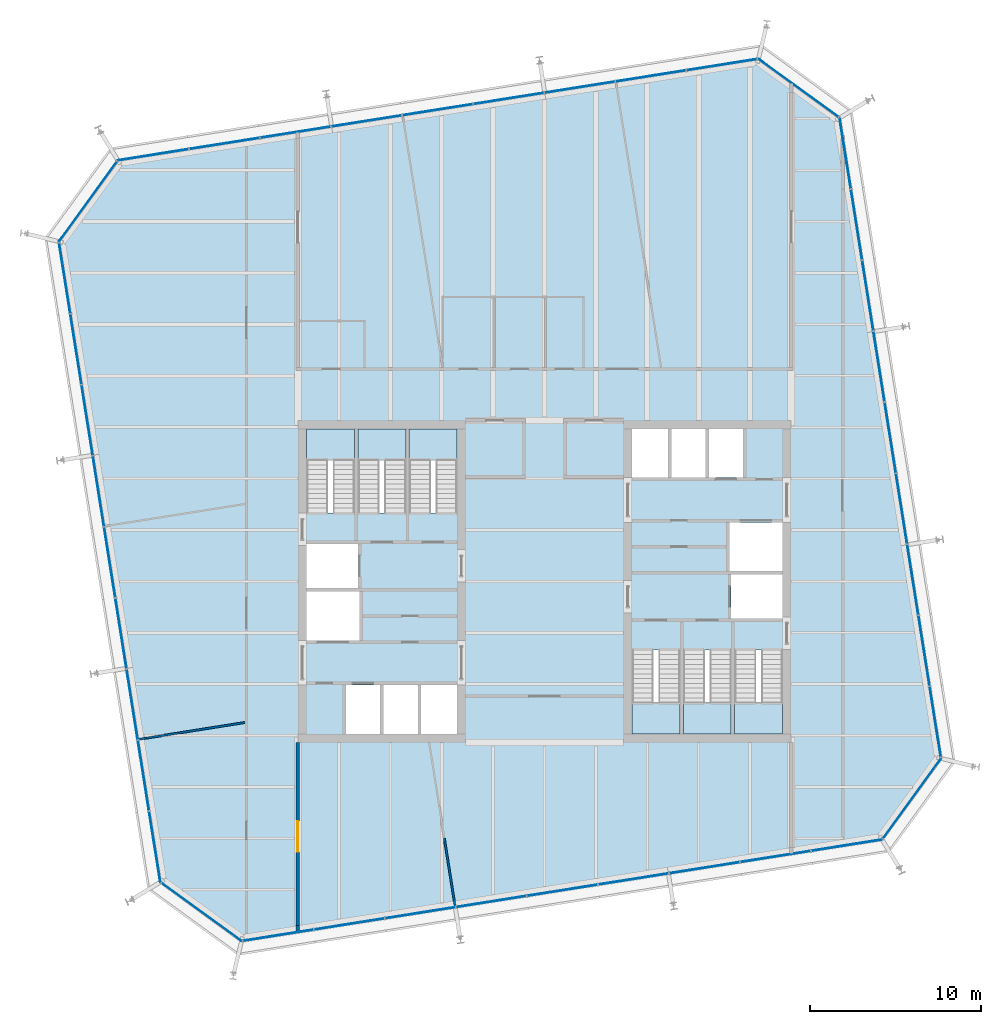
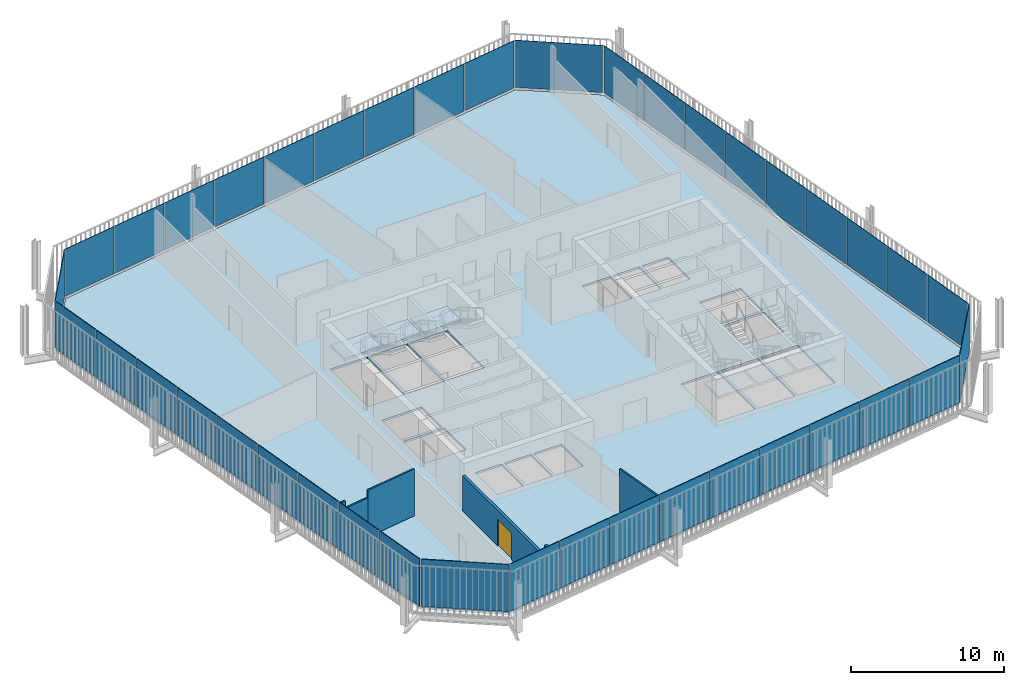
# One storey, part 15 of 20: 40 plates, 7 slabs, 6 walls, 1 door, 1 opening, 14 elements without a shape of their own.
"""IFC4 building model written with IfcOpenShell, lengths in metres."""

from ifc_helpers import new_model, si_unit, direction, frame, frame_2d, origin, place, context, subcontext, project, spatial, polyline, rectangle, outline, extrude, material, layer, layer_set, type_object, element, fill, aggregate, save


model = new_model("IFC4")

# Units and contexts
model_context = context("Model", 3, precision=1e-05, world=origin(), true_north=direction((0.0, 1.0)))
body_context = subcontext(model_context, "Body", "Model", "MODEL_VIEW")
ifc_project = project(units=[si_unit("LENGTHUNIT", "METRE"), si_unit("AREAUNIT", "SQUARE_METRE"), si_unit("VOLUMEUNIT", "CUBIC_METRE"), si_unit("PLANEANGLEUNIT", "RADIAN"), si_unit("MASSUNIT", "GRAM", prefix="KILO")], contexts=[model_context])

# Site, building, storey
site_placement = place(None, origin())
site = spatial("IfcSite", under=ifc_project, at=site_placement, CompositionType="ELEMENT")
building_placement = place(site_placement, origin())
building = spatial("IfcBuilding", under=site, at=building_placement, Name="Millrace Tower", CompositionType="ELEMENT")
storey_placement = place(building_placement, frame((0.0, 0.0, 208.60009765625)))
storey = spatial("IfcBuildingStorey", under=building, at=storey_placement, Name="L47", CompositionType="ELEMENT", Elevation=208.60009765625)

# Curtain wall, plate
ifc_material_1 = material(Name="Aluminium and glass", Category="aluminium")
ifc_layer_1 = layer(ifc_material_1, 0.14990234375)
ifc_layer_set_1 = layer_set([ifc_layer_1], Name="Aluminium and glass")
curtain_wall_type = type_object("IfcCurtainWallType", Name="CW-1 office vision curtain wall", PredefinedType="NOTDEFINED", material=ifc_layer_set_1)
placement_1 = place(storey_placement, origin())
curtain_wall_1 = element("IfcCurtainWall", 1, at=placement_1, inside=storey, type_object=curtain_wall_type, Name="Curtain wall D-F01 L47", PredefinedType="NOTDEFINED")
ifc_material_2 = material(Name="Glass", Category="glass")
ifc_layer_2 = layer(ifc_material_2, 0.0439453125)
ifc_layer_set_2 = layer_set([ifc_layer_2], Name="Glass")
plate_type = type_object("IfcPlateType", Name="CW-1 office vision curtain wall triple-glazed vision panel", PredefinedType="CURTAIN_PANEL", material=ifc_layer_set_2)
placement_2 = place(storey_placement, frame((0.0, 0.0, 0.139892578125)))
plate_1 = element("IfcPlate", 2, at=placement_2, type_object=plate_type, Name="CW1 panel D-F01.1", PredefinedType="CURTAIN_PANEL", context=body_context, shape_type="SweptSolid", body=[
    extrude(outline(polyline([(-22.36474609375, -17.632080078125), (-17.69384765625, -21.025634765625), (-17.6826171875, -20.979248046875), (-22.3388671875, -17.596435546875), (-22.36474609375, -17.632080078125)])), origin(), (0.0, 0.0, 1.0), 3.760009765625),
])
aggregate(curtain_wall_1, [plate_1])

# Curtain wall, plates
curtain_wall_2 = element("IfcCurtainWall", 3, at=placement_1, inside=storey, type_object=curtain_wall_type, Name="Curtain wall D-F02 L47", PredefinedType="NOTDEFINED")
plate_2 = element("IfcPlate", 4, at=placement_2, type_object=plate_type, Name="CW1 panel D-F02.1", PredefinedType="CURTAIN_PANEL", context=body_context, shape_type="SweptSolid", body=[
    extrude(outline(polyline([(-17.58984375, -21.009033203125), (-13.505859375, -20.3623046875), (-13.5126953125, -20.31884765625), (-17.596923828125, -20.965576171875), (-17.58984375, -21.009033203125)])), origin(), (0.0, 0.0, 1.0), 3.760009765625),
])
plate_3 = element("IfcPlate", 5, at=placement_2, type_object=plate_type, Name="CW1 panel D-F02.2", PredefinedType="CURTAIN_PANEL", context=body_context, shape_type="SweptSolid", body=[
    extrude(outline(polyline([(-13.441650390625, -20.35205078125), (-9.357666015625, -19.705078125), (-9.364501953125, -19.66162109375), (-13.448486328125, -20.30859375), (-13.441650390625, -20.35205078125)])), origin(), (0.0, 0.0, 1.0), 3.760009765625),
])
plate_4 = element("IfcPlate", 6, at=placement_2, type_object=plate_type, Name="CW1 panel D-F02.3", PredefinedType="CURTAIN_PANEL", context=body_context, shape_type="SweptSolid", body=[
    extrude(outline(polyline([(-9.29345703125, -19.695068359375), (-5.209228515625, -19.048095703125), (-5.216064453125, -19.004638671875), (-9.30029296875, -19.651611328125), (-9.29345703125, -19.695068359375)])), origin(), (0.0, 0.0, 1.0), 3.760009765625),
])
plate_5 = element("IfcPlate", 7, at=placement_2, type_object=plate_type, Name="CW1 panel D-F02.4", PredefinedType="CURTAIN_PANEL", context=body_context, shape_type="SweptSolid", body=[
    extrude(outline(polyline([(-5.14501953125, -19.0380859375), (-1.06103515625, -18.39111328125), (-1.06787109375, -18.34765625), (-5.15185546875, -18.99462890625), (-5.14501953125, -19.0380859375)])), origin(), (0.0, 0.0, 1.0), 3.760009765625),
])
plate_6 = element("IfcPlate", 8, at=placement_2, type_object=plate_type, Name="CW1 panel D-F02.5", PredefinedType="CURTAIN_PANEL", context=body_context, shape_type="SweptSolid", body=[
    extrude(outline(polyline([(-0.996826171875, -18.380859375), (3.08740234375, -17.734130859375), (3.080322265625, -17.690673828125), (-1.003662109375, -18.33740234375), (-0.996826171875, -18.380859375)])), origin(), (0.0, 0.0, 1.0), 3.760009765625),
])
plate_7 = element("IfcPlate", 9, at=placement_2, type_object=plate_type, Name="CW1 panel D-F02.6", PredefinedType="CURTAIN_PANEL", context=body_context, shape_type="SweptSolid", body=[
    extrude(outline(polyline([(3.151611328125, -17.723876953125), (7.235595703125, -17.0771484375), (7.228759765625, -17.03369140625), (3.14453125, -17.680419921875), (3.151611328125, -17.723876953125)])), origin(), (0.0, 0.0, 1.0), 3.760009765625),
])
plate_8 = element("IfcPlate", 10, at=placement_2, type_object=plate_type, Name="CW1 panel D-F02.7", PredefinedType="CURTAIN_PANEL", context=body_context, shape_type="SweptSolid", body=[
    extrude(outline(polyline([(7.2998046875, -17.06689453125), (11.3837890625, -16.420166015625), (11.376953125, -16.376708984375), (7.29296875, -17.0234375), (7.2998046875, -17.06689453125)])), origin(), (0.0, 0.0, 1.0), 3.760009765625),
])
plate_9 = element("IfcPlate", 11, at=placement_2, type_object=plate_type, Name="CW1 panel D-F02.8", PredefinedType="CURTAIN_PANEL", context=body_context, shape_type="SweptSolid", body=[
    extrude(outline(polyline([(11.447998046875, -16.409912109375), (15.5322265625, -15.762939453125), (15.525390625, -15.719482421875), (11.441162109375, -16.366455078125), (11.447998046875, -16.409912109375)])), origin(), (0.0, 0.0, 1.0), 3.760009765625),
])
plate_10 = element("IfcPlate", 12, at=placement_2, type_object=plate_type, Name="CW1 panel D-F02.9", PredefinedType="CURTAIN_PANEL", context=body_context, shape_type="SweptSolid", body=[
    extrude(outline(polyline([(15.596435546875, -15.7529296875), (19.72021484375, -15.099853515625), (19.6953125, -15.05908203125), (15.589599609375, -15.70947265625), (15.596435546875, -15.7529296875)])), origin(), (0.0, 0.0, 1.0), 3.760009765625),
])
aggregate(curtain_wall_2, [plate_2, plate_3, plate_4, plate_5, plate_6, plate_7, plate_8, plate_9, plate_10])

# Curtain wall, plate
curtain_wall_3 = element("IfcCurtainWall", 13, at=placement_1, inside=storey, type_object=curtain_wall_type, Name="Curtain wall D-F03 L47", PredefinedType="NOTDEFINED")
plate_11 = element("IfcPlate", 14, at=placement_2, type_object=plate_type, Name="CW1 panel D-F03.1", PredefinedType="CURTAIN_PANEL", context=body_context, shape_type="SweptSolid", body=[
    extrude(outline(polyline([(19.781982421875, -15.0146484375), (23.175537109375, -10.34375), (23.129150390625, -10.332763671875), (19.746337890625, -14.98876953125), (19.781982421875, -15.0146484375)])), origin(), (0.0, 0.0, 1.0), 3.760009765625),
])
aggregate(curtain_wall_3, [plate_11])

# Curtain wall, plates
curtain_wall_4 = element("IfcCurtainWall", 15, at=placement_1, inside=storey, type_object=curtain_wall_type, Name="Curtain wall D-F04 L47", PredefinedType="NOTDEFINED")
plate_12 = element("IfcPlate", 16, at=placement_2, type_object=plate_type, Name="CW1 panel D-F04.1", PredefinedType="CURTAIN_PANEL", context=body_context, shape_type="SweptSolid", body=[
    extrude(outline(polyline([(23.1591796875, -10.239990234375), (22.51220703125, -6.15576171875), (22.46875, -6.162841796875), (23.11572265625, -10.246826171875), (23.1591796875, -10.239990234375)])), origin(), (0.0, 0.0, 1.0), 3.760009765625),
])
plate_13 = element("IfcPlate", 17, at=placement_2, type_object=plate_type, Name="CW1 panel D-F04.2", PredefinedType="CURTAIN_PANEL", context=body_context, shape_type="SweptSolid", body=[
    extrude(outline(polyline([(22.501953125, -6.091552734375), (21.855224609375, -2.007568359375), (21.811767578125, -2.014404296875), (22.45849609375, -6.0986328125), (22.501953125, -6.091552734375)])), origin(), (0.0, 0.0, 1.0), 3.760009765625),
])
plate_14 = element("IfcPlate", 18, at=placement_2, type_object=plate_type, Name="CW1 panel D-F04.3", PredefinedType="CURTAIN_PANEL", context=body_context, shape_type="SweptSolid", body=[
    extrude(outline(polyline([(21.844970703125, -1.943359375), (21.1982421875, 2.140625), (21.15478515625, 2.1337890625), (21.801513671875, -1.9501953125), (21.844970703125, -1.943359375)])), origin(), (0.0, 0.0, 1.0), 3.760009765625),
])
plate_15 = element("IfcPlate", 19, at=placement_2, type_object=plate_type, Name="CW1 panel D-F04.4", PredefinedType="CURTAIN_PANEL", context=body_context, shape_type="SweptSolid", body=[
    extrude(outline(polyline([(21.18798828125, 2.204833984375), (20.541259765625, 6.2890625), (20.497802734375, 6.2822265625), (21.14453125, 2.197998046875), (21.18798828125, 2.204833984375)])), origin(), (0.0, 0.0, 1.0), 3.760009765625),
])
plate_16 = element("IfcPlate", 20, at=placement_2, type_object=plate_type, Name="CW1 panel D-F04.5", PredefinedType="CURTAIN_PANEL", context=body_context, shape_type="SweptSolid", body=[
    extrude(outline(polyline([(20.531005859375, 6.353271484375), (19.884033203125, 10.437255859375), (19.840576171875, 10.430419921875), (20.487548828125, 6.346435546875), (20.531005859375, 6.353271484375)])), origin(), (0.0, 0.0, 1.0), 3.760009765625),
])
plate_17 = element("IfcPlate", 21, at=placement_2, type_object=plate_type, Name="CW1 panel D-F04.6", PredefinedType="CURTAIN_PANEL", context=body_context, shape_type="SweptSolid", body=[
    extrude(outline(polyline([(19.8740234375, 10.50146484375), (19.22705078125, 14.585693359375), (19.18359375, 14.57861328125), (19.83056640625, 10.49462890625), (19.8740234375, 10.50146484375)])), origin(), (0.0, 0.0, 1.0), 3.760009765625),
])
plate_18 = element("IfcPlate", 22, at=placement_2, type_object=plate_type, Name="CW1 panel D-F04.7", PredefinedType="CURTAIN_PANEL", context=body_context, shape_type="SweptSolid", body=[
    extrude(outline(polyline([(19.217041015625, 14.64990234375), (18.570068359375, 18.73388671875), (18.526611328125, 18.72705078125), (19.173583984375, 14.642822265625), (19.217041015625, 14.64990234375)])), origin(), (0.0, 0.0, 1.0), 3.760009765625),
])
plate_19 = element("IfcPlate", 23, at=placement_2, type_object=plate_type, Name="CW1 panel D-F04.8", PredefinedType="CURTAIN_PANEL", context=body_context, shape_type="SweptSolid", body=[
    extrude(outline(polyline([(18.559814453125, 18.798095703125), (17.9130859375, 22.882080078125), (17.86962890625, 22.875244140625), (18.516357421875, 18.791259765625), (18.559814453125, 18.798095703125)])), origin(), (0.0, 0.0, 1.0), 3.760009765625),
])
plate_20 = element("IfcPlate", 24, at=placement_2, type_object=plate_type, Name="CW1 panel D-F04.9", PredefinedType="CURTAIN_PANEL", context=body_context, shape_type="SweptSolid", body=[
    extrude(outline(polyline([(17.90283203125, 22.9462890625), (17.249755859375, 27.070068359375), (17.209228515625, 27.045166015625), (17.859375, 22.939453125), (17.90283203125, 22.9462890625)])), origin(), (0.0, 0.0, 1.0), 3.760009765625),
])
aggregate(curtain_wall_4, [plate_12, plate_13, plate_14, plate_15, plate_16, plate_17, plate_18, plate_19, plate_20])

# Curtain wall, plate
curtain_wall_5 = element("IfcCurtainWall", 25, at=placement_1, inside=storey, type_object=curtain_wall_type, Name="Curtain wall D-F05 L47", PredefinedType="NOTDEFINED")
plate_21 = element("IfcPlate", 26, at=placement_2, type_object=plate_type, Name="CW1 panel D-F05.1", PredefinedType="CURTAIN_PANEL", context=body_context, shape_type="SweptSolid", body=[
    extrude(outline(polyline([(17.16455078125, 27.132080078125), (12.493896484375, 30.525634765625), (12.482666015625, 30.479248046875), (17.138671875, 27.096435546875), (17.16455078125, 27.132080078125)])), origin(), (0.0, 0.0, 1.0), 3.760009765625),
])
aggregate(curtain_wall_5, [plate_21])

# Curtain wall, plates
curtain_wall_6 = element("IfcCurtainWall", 27, at=placement_1, inside=storey, type_object=curtain_wall_type, Name="Curtain wall D-F06 L47", PredefinedType="NOTDEFINED")
plate_22 = element("IfcPlate", 28, at=placement_2, type_object=plate_type, Name="CW1 panel D-F06.1", PredefinedType="CURTAIN_PANEL", context=body_context, shape_type="SweptSolid", body=[
    extrude(outline(polyline([(12.389892578125, 30.509033203125), (8.305908203125, 29.8623046875), (8.312744140625, 29.81884765625), (12.396728515625, 30.465576171875), (12.389892578125, 30.509033203125)])), origin(), (0.0, 0.0, 1.0), 3.760009765625),
])
plate_23 = element("IfcPlate", 29, at=placement_2, type_object=plate_type, Name="CW1 panel D-F06.2", PredefinedType="CURTAIN_PANEL", context=body_context, shape_type="SweptSolid", body=[
    extrude(outline(polyline([(8.24169921875, 29.85205078125), (4.157470703125, 29.205078125), (4.16455078125, 29.16162109375), (8.24853515625, 29.80859375), (8.24169921875, 29.85205078125)])), origin(), (0.0, 0.0, 1.0), 3.760009765625),
])
plate_24 = element("IfcPlate", 30, at=placement_2, type_object=plate_type, Name="CW1 panel D-F06.3", PredefinedType="CURTAIN_PANEL", context=body_context, shape_type="SweptSolid", body=[
    extrude(outline(polyline([(4.09326171875, 29.195068359375), (0.00927734375, 28.548095703125), (0.01611328125, 28.504638671875), (4.100341796875, 29.151611328125), (4.09326171875, 29.195068359375)])), origin(), (0.0, 0.0, 1.0), 3.760009765625),
])
plate_25 = element("IfcPlate", 31, at=placement_2, type_object=plate_type, Name="CW1 panel D-F06.4", PredefinedType="CURTAIN_PANEL", context=body_context, shape_type="SweptSolid", body=[
    extrude(outline(polyline([(-0.054931640625, 28.5380859375), (-4.138916015625, 27.89111328125), (-4.132080078125, 27.84765625), (-0.048095703125, 28.49462890625), (-0.054931640625, 28.5380859375)])), origin(), (0.0, 0.0, 1.0), 3.760009765625),
])
plate_26 = element("IfcPlate", 32, at=placement_2, type_object=plate_type, Name="CW1 panel D-F06.5", PredefinedType="CURTAIN_PANEL", context=body_context, shape_type="SweptSolid", body=[
    extrude(outline(polyline([(-4.203125, 27.880859375), (-8.287353515625, 27.234130859375), (-8.280517578125, 27.190673828125), (-4.1962890625, 27.83740234375), (-4.203125, 27.880859375)])), origin(), (0.0, 0.0, 1.0), 3.760009765625),
])
plate_27 = element("IfcPlate", 33, at=placement_2, type_object=plate_type, Name="CW1 panel D-F06.6", PredefinedType="CURTAIN_PANEL", context=body_context, shape_type="SweptSolid", body=[
    extrude(outline(polyline([(-8.3515625, 27.223876953125), (-12.435546875, 26.5771484375), (-12.4287109375, 26.53369140625), (-8.3447265625, 27.180419921875), (-8.3515625, 27.223876953125)])), origin(), (0.0, 0.0, 1.0), 3.760009765625),
])
plate_28 = element("IfcPlate", 34, at=placement_2, type_object=plate_type, Name="CW1 panel D-F06.7", PredefinedType="CURTAIN_PANEL", context=body_context, shape_type="SweptSolid", body=[
    extrude(outline(polyline([(-12.499755859375, 26.56689453125), (-16.583984375, 25.920166015625), (-16.576904296875, 25.876708984375), (-12.492919921875, 26.5234375), (-12.499755859375, 26.56689453125)])), origin(), (0.0, 0.0, 1.0), 3.760009765625),
])
plate_29 = element("IfcPlate", 35, at=placement_2, type_object=plate_type, Name="CW1 panel D-F06.8", PredefinedType="CURTAIN_PANEL", context=body_context, shape_type="SweptSolid", body=[
    extrude(outline(polyline([(-16.648193359375, 25.909912109375), (-20.732177734375, 25.262939453125), (-20.725341796875, 25.219482421875), (-16.64111328125, 25.866455078125), (-16.648193359375, 25.909912109375)])), origin(), (0.0, 0.0, 1.0), 3.760009765625),
])
plate_30 = element("IfcPlate", 36, at=placement_2, type_object=plate_type, Name="CW1 panel D-F06.9", PredefinedType="CURTAIN_PANEL", context=body_context, shape_type="SweptSolid", body=[
    extrude(outline(polyline([(-20.79638671875, 25.2529296875), (-24.920166015625, 24.599853515625), (-24.895263671875, 24.55908203125), (-20.78955078125, 25.20947265625), (-20.79638671875, 25.2529296875)])), origin(), (0.0, 0.0, 1.0), 3.760009765625),
])
aggregate(curtain_wall_6, [plate_22, plate_23, plate_24, plate_25, plate_26, plate_27, plate_28, plate_29, plate_30])

# Curtain wall, plate
curtain_wall_7 = element("IfcCurtainWall", 37, at=placement_1, inside=storey, type_object=curtain_wall_type, Name="Curtain wall D-F07 L47", PredefinedType="NOTDEFINED")
plate_31 = element("IfcPlate", 38, at=placement_2, type_object=plate_type, Name="CW1 panel D-F07.1", PredefinedType="CURTAIN_PANEL", context=body_context, shape_type="SweptSolid", body=[
    extrude(outline(polyline([(-24.98193359375, 24.5146484375), (-28.37548828125, 19.84375), (-28.329345703125, 19.832763671875), (-24.9462890625, 24.48876953125), (-24.98193359375, 24.5146484375)])), origin(), (0.0, 0.0, 1.0), 3.760009765625),
])
aggregate(curtain_wall_7, [plate_31])

# Curtain wall, plates
curtain_wall_8 = element("IfcCurtainWall", 39, at=placement_1, inside=storey, type_object=curtain_wall_type, Name="Curtain wall D-F08 L47", PredefinedType="NOTDEFINED")
plate_32 = element("IfcPlate", 40, at=placement_2, type_object=plate_type, Name="CW1 panel D-F08.1", PredefinedType="CURTAIN_PANEL", context=body_context, shape_type="SweptSolid", body=[
    extrude(outline(polyline([(-28.359130859375, 19.739990234375), (-27.712158203125, 15.65576171875), (-27.668701171875, 15.662841796875), (-28.315673828125, 19.746826171875), (-28.359130859375, 19.739990234375)])), origin(), (0.0, 0.0, 1.0), 3.760009765625),
])
plate_33 = element("IfcPlate", 41, at=placement_2, type_object=plate_type, Name="CW1 panel D-F08.2", PredefinedType="CURTAIN_PANEL", context=body_context, shape_type="SweptSolid", body=[
    extrude(outline(polyline([(-27.7021484375, 15.591552734375), (-27.05517578125, 11.507568359375), (-27.01171875, 11.514404296875), (-27.65869140625, 15.5986328125), (-27.7021484375, 15.591552734375)])), origin(), (0.0, 0.0, 1.0), 3.760009765625),
])
plate_34 = element("IfcPlate", 42, at=placement_2, type_object=plate_type, Name="CW1 panel D-F08.3", PredefinedType="CURTAIN_PANEL", context=body_context, shape_type="SweptSolid", body=[
    extrude(outline(polyline([(-27.044921875, 11.443359375), (-26.398193359375, 7.359375), (-26.354736328125, 7.3662109375), (-27.00146484375, 11.4501953125), (-27.044921875, 11.443359375)])), origin(), (0.0, 0.0, 1.0), 3.760009765625),
])
plate_35 = element("IfcPlate", 43, at=placement_2, type_object=plate_type, Name="CW1 panel D-F08.4", PredefinedType="CURTAIN_PANEL", context=body_context, shape_type="SweptSolid", body=[
    extrude(outline(polyline([(-26.387939453125, 7.295166015625), (-25.7412109375, 3.2109375), (-25.69775390625, 3.2177734375), (-26.344482421875, 7.302001953125), (-26.387939453125, 7.295166015625)])), origin(), (0.0, 0.0, 1.0), 3.760009765625),
])
plate_36 = element("IfcPlate", 44, at=placement_2, type_object=plate_type, Name="CW1 panel D-F08.5", PredefinedType="CURTAIN_PANEL", context=body_context, shape_type="SweptSolid", body=[
    extrude(outline(polyline([(-25.73095703125, 3.146728515625), (-25.084228515625, -0.937255859375), (-25.040771484375, -0.930419921875), (-25.6875, 3.153564453125), (-25.73095703125, 3.146728515625)])), origin(), (0.0, 0.0, 1.0), 3.760009765625),
])
plate_37 = element("IfcPlate", 45, at=placement_2, type_object=plate_type, Name="CW1 panel D-F08.6", PredefinedType="CURTAIN_PANEL", context=body_context, shape_type="SweptSolid", body=[
    extrude(outline(polyline([(-25.073974609375, -1.00146484375), (-24.427001953125, -5.085693359375), (-24.383544921875, -5.07861328125), (-25.030517578125, -0.99462890625), (-25.073974609375, -1.00146484375)])), origin(), (0.0, 0.0, 1.0), 3.760009765625),
])
plate_38 = element("IfcPlate", 46, at=placement_2, type_object=plate_type, Name="CW1 panel D-F08.7", PredefinedType="CURTAIN_PANEL", context=body_context, shape_type="SweptSolid", body=[
    extrude(outline(polyline([(-24.4169921875, -5.14990234375), (-23.77001953125, -9.23388671875), (-23.7265625, -9.22705078125), (-24.37353515625, -5.142822265625), (-24.4169921875, -5.14990234375)])), origin(), (0.0, 0.0, 1.0), 3.760009765625),
])
plate_39 = element("IfcPlate", 47, at=placement_2, type_object=plate_type, Name="CW1 panel D-F08.8", PredefinedType="CURTAIN_PANEL", context=body_context, shape_type="SweptSolid", body=[
    extrude(outline(polyline([(-23.760009765625, -9.298095703125), (-23.113037109375, -13.382080078125), (-23.069580078125, -13.375244140625), (-23.716552734375, -9.291259765625), (-23.760009765625, -9.298095703125)])), origin(), (0.0, 0.0, 1.0), 3.760009765625),
])
plate_40 = element("IfcPlate", 48, at=placement_2, type_object=plate_type, Name="CW1 panel D-F08.9", PredefinedType="CURTAIN_PANEL", context=body_context, shape_type="SweptSolid", body=[
    extrude(outline(polyline([(-23.102783203125, -13.4462890625), (-22.44970703125, -17.570068359375), (-22.4091796875, -17.545166015625), (-23.059326171875, -13.439453125), (-23.102783203125, -13.4462890625)])), origin(), (0.0, 0.0, 1.0), 3.760009765625),
])
aggregate(curtain_wall_8, [plate_32, plate_33, plate_34, plate_35, plate_36, plate_37, plate_38, plate_39, plate_40])

# Slab
ifc_material_3 = material(Name="Concrete C35 on steel deck", Category="concrete")
ifc_layer_3 = layer(ifc_material_3, 0.159912109375)
ifc_layer_set_3 = layer_set([ifc_layer_3], Name="Concrete C35 on steel deck")
slab_type_1 = type_object("IfcSlabType", Name="Composite floor slab 160 mm", PredefinedType="FLOOR", material=ifc_layer_set_3)
slab_1_placement = place(storey_placement, frame((0.0, 0.0, -0.16015625)))
element("IfcSlab", 49, at=slab_1_placement, inside=storey, type_object=slab_type_1, Name="SL-D-L47-S1", PredefinedType="FLOOR", context=body_context, shape_type="SweptSolid", body=[
    extrude(outline(polyline([(-22.360107421875, -17.515380859375), (-17.66943359375, -20.92333984375), (19.665283203125, -15.01025390625), (23.073486328125, -10.3193359375), (17.16015625, 27.015380859375), (12.46923828125, 30.42333984375), (-24.865234375, 24.51025390625), (-28.2734375, 19.8193359375), (-22.360107421875, -17.515380859375)]), holes=[polyline([(-11.60009765625, -8.89990234375), (-9.60009765625, -8.89990234375), (-9.60009765625, -6.050048828125), (-11.60009765625, -6.050048828125), (-11.60009765625, -8.89990234375)]), polyline([(-9.39990234375, -8.89990234375), (-7.39990234375, -8.89990234375), (-7.39990234375, -6.050048828125), (-9.39990234375, -6.050048828125), (-9.39990234375, -8.89990234375)]), polyline([(-7.199951171875, -8.89990234375), (-5.10009765625, -8.89990234375), (-5.10009765625, -6.050048828125), (-7.199951171875, -6.050048828125), (-7.199951171875, -8.89990234375)]), polyline([(-13.89990234375, -3.449951171875), (-10.800048828125, -3.449951171875), (-10.800048828125, -0.60009765625), (-13.89990234375, -0.60009765625), (-13.89990234375, -3.449951171875)]), polyline([(-13.89990234375, -0.39990234375), (-10.89990234375, -0.39990234375), (-10.89990234375, 2.179931640625), (-13.89990234375, 2.179931640625), (-13.89990234375, -0.39990234375)]), polyline([(-13.89990234375, 4.0), (-11.10009765625, 4.0), (-11.10009765625, 8.89990234375), (-13.89990234375, 8.89990234375), (-13.89990234375, 4.0)]), polyline([(-10.89990234375, 4.0), (-8.10009765625, 4.0), (-8.10009765625, 8.89990234375), (-10.89990234375, 8.89990234375), (-10.89990234375, 4.0)]), polyline([(-7.89990234375, 4.0), (-5.10009765625, 4.0), (-5.10009765625, 8.89990234375), (-7.89990234375, 8.89990234375), (-7.89990234375, 4.0)]), polyline([(9.60009765625, 6.050048828125), (11.60009765625, 6.050048828125), (11.60009765625, 8.89990234375), (9.60009765625, 8.89990234375), (9.60009765625, 6.050048828125)]), polyline([(7.39990234375, 6.050048828125), (9.39990234375, 6.050048828125), (9.39990234375, 8.89990234375), (7.39990234375, 8.89990234375), (7.39990234375, 6.050048828125)]), polyline([(5.10009765625, 6.050048828125), (7.199951171875, 6.050048828125), (7.199951171875, 8.89990234375), (5.10009765625, 8.89990234375), (5.10009765625, 6.050048828125)]), polyline([(10.800048828125, 0.60009765625), (13.89990234375, 0.60009765625), (13.89990234375, 3.449951171875), (10.800048828125, 3.449951171875), (10.800048828125, 0.60009765625)]), polyline([(10.89990234375, -2.179931640625), (13.89990234375, -2.179931640625), (13.89990234375, 0.39990234375), (10.89990234375, 0.39990234375), (10.89990234375, -2.179931640625)]), polyline([(11.10009765625, -8.89990234375), (13.89990234375, -8.89990234375), (13.89990234375, -4.0), (11.10009765625, -4.0), (11.10009765625, -8.89990234375)]), polyline([(8.10009765625, -8.89990234375), (10.89990234375, -8.89990234375), (10.89990234375, -4.0), (8.10009765625, -4.0), (8.10009765625, -8.89990234375)]), polyline([(5.10009765625, -8.89990234375), (7.89990234375, -8.89990234375), (7.89990234375, -4.0), (5.10009765625, -4.0), (5.10009765625, -8.89990234375)])]), origin(), (0.0, 0.0, 1.0), 0.16015625),
])

# Stair, slab
ifc_material_4 = material(Name="Concrete C35", Category="concrete")
stair_type = type_object("IfcStairType", Name="Exit stair", PredefinedType="HALF_TURN_STAIR", material=ifc_material_4)
stair_1 = element("IfcStair", 50, at=placement_1, inside=storey, type_object=stair_type, Name="Stair 1 W L47", PredefinedType="HALF_TURN_STAIR")
ifc_material_5 = material(Name="Concrete C40", Category="concrete")
ifc_layer_4 = layer(ifc_material_5, 0.199951171875)
ifc_layer_set_4 = layer_set([ifc_layer_4], Name="Concrete C40")
slab_type_2 = type_object("IfcSlabType", Name="Stair landing", PredefinedType="LANDING", material=ifc_layer_set_4)
placement_3 = place(storey_placement, frame((0.0, 0.0, 1.75)))
slab_2 = element("IfcSlab", 51, at=placement_3, type_object=slab_type_2, Name="ST12 landing 1", PredefinedType="LANDING", context=body_context, shape_type="SweptSolid", body=[
    extrude(outline(polyline([(-13.89990234375, 7.080078125), (-11.10009765625, 7.080078125), (-11.10009765625, 8.89990234375), (-13.89990234375, 8.89990234375), (-13.89990234375, 7.080078125)])), origin(), (0.0, 0.0, 1.0), 0.199951171875),
])
aggregate(stair_1, [slab_2])

stair_2 = element("IfcStair", 52, at=placement_1, inside=storey, type_object=stair_type, Name="Stair 2 W L47", PredefinedType="HALF_TURN_STAIR")
slab_3 = element("IfcSlab", 53, at=placement_3, type_object=slab_type_2, Name="ST12 landing 1", PredefinedType="LANDING", context=body_context, shape_type="SweptSolid", body=[
    extrude(outline(polyline([(-10.89990234375, 7.080078125), (-8.10009765625, 7.080078125), (-8.10009765625, 8.89990234375), (-10.89990234375, 8.89990234375), (-10.89990234375, 7.080078125)])), origin(), (0.0, 0.0, 1.0), 0.199951171875),
])
aggregate(stair_2, [slab_3])

stair_3 = element("IfcStair", 54, at=placement_1, inside=storey, type_object=stair_type, Name="Stair 3 W L47", PredefinedType="HALF_TURN_STAIR")
slab_4 = element("IfcSlab", 55, at=placement_3, type_object=slab_type_2, Name="ST12 landing 1", PredefinedType="LANDING", context=body_context, shape_type="SweptSolid", body=[
    extrude(outline(polyline([(-7.89990234375, 7.080078125), (-5.10009765625, 7.080078125), (-5.10009765625, 8.89990234375), (-7.89990234375, 8.89990234375), (-7.89990234375, 7.080078125)])), origin(), (0.0, 0.0, 1.0), 0.199951171875),
])
aggregate(stair_3, [slab_4])

stair_4 = element("IfcStair", 56, at=placement_1, inside=storey, type_object=stair_type, Name="Stair 1 E L47", PredefinedType="HALF_TURN_STAIR")
slab_5 = element("IfcSlab", 57, at=placement_3, type_object=slab_type_2, Name="ST12 landing 1", PredefinedType="LANDING", context=body_context, shape_type="SweptSolid", body=[
    extrude(outline(polyline([(11.10009765625, -8.89990234375), (13.89990234375, -8.89990234375), (13.89990234375, -7.080078125), (11.10009765625, -7.080078125), (11.10009765625, -8.89990234375)])), origin(), (0.0, 0.0, 1.0), 0.199951171875),
])
aggregate(stair_4, [slab_5])

stair_5 = element("IfcStair", 58, at=placement_1, inside=storey, type_object=stair_type, Name="Stair 2 E L47", PredefinedType="HALF_TURN_STAIR")
slab_6 = element("IfcSlab", 59, at=placement_3, type_object=slab_type_2, Name="ST12 landing 1", PredefinedType="LANDING", context=body_context, shape_type="SweptSolid", body=[
    extrude(outline(polyline([(8.10009765625, -8.89990234375), (10.89990234375, -8.89990234375), (10.89990234375, -7.080078125), (8.10009765625, -7.080078125), (8.10009765625, -8.89990234375)])), origin(), (0.0, 0.0, 1.0), 0.199951171875),
])
aggregate(stair_5, [slab_6])

stair_6 = element("IfcStair", 60, at=placement_1, inside=storey, type_object=stair_type, Name="Stair 3 E L47", PredefinedType="HALF_TURN_STAIR")
slab_7 = element("IfcSlab", 61, at=placement_3, type_object=slab_type_2, Name="ST12 landing 1", PredefinedType="LANDING", context=body_context, shape_type="SweptSolid", body=[
    extrude(outline(polyline([(5.10009765625, -8.89990234375), (7.89990234375, -8.89990234375), (7.89990234375, -7.080078125), (5.10009765625, -7.080078125), (5.10009765625, -8.89990234375)])), origin(), (0.0, 0.0, 1.0), 0.199951171875),
])
aggregate(stair_6, [slab_7])

# Wall
ifc_material_6 = material(Name="Masonry partition, fire-rated", Category="masonry")
ifc_layer_5 = layer(ifc_material_6, 0.199951171875)
ifc_layer_set_5 = layer_set([ifc_layer_5], Name="Masonry partition, fire-rated")
wall_type_1 = type_object("IfcWallType", Name="Corridor wall 200", PredefinedType="PARTITIONING", material=ifc_layer_set_5)
wall_1_placement = place(storey_placement, frame((-14.39990234375, -20.43603515625, 0.0), z_axis=(0.0, 0.0, 1.0), x_axis=(0.0, 1.0, 0.0)))
element("IfcWall", 62, at=wall_1_placement, inside=storey, type_object=wall_type_1, Name="Corridor wall L47", PredefinedType="PARTITIONING", context=body_context, shape_type="SweptSolid", body=[
    extrude(rectangle(XDim=0.349609375, YDim=0.199951171875, at=frame_2d((0.1748046875, 0.0))), origin(), (0.0, 0.0, 1.0), 3.739990234375),
])

# Wall, opening, door
wall_2_placement = place(storey_placement, frame((-14.39990234375, -20.08642578125, 0.0), z_axis=(0.0, 0.0, 1.0), x_axis=(0.0, 1.0, 0.0)))
wall_2 = element("IfcWall", 63, at=wall_2_placement, inside=storey, type_object=wall_type_1, Name="Corridor wall L47", PredefinedType="PARTITIONING", context=body_context, shape_type="SweptSolid", body=[
    extrude(rectangle(XDim=10.6865234375, YDim=0.199951171875, at=frame_2d((5.34326171875, 0.0))), origin(), (0.0, 0.0, 1.0), 2.812744140625),
])
opening_placement = place(wall_2_placement, frame((4.2939453125, 0.0, 0.0)))
opening = element("IfcOpeningElement", 64, at=opening_placement, cuts=wall_2, Name="Opening 47-P014", PredefinedType="OPENING", context=body_context, shape_type="SweptSolid", body=[
    extrude(rectangle(XDim=1.800048828125, YDim=2.10009765625, at=frame_2d((0.89990234375, 1.050048828125))), frame((0.0, 0.10986328125, 0.0), z_axis=(0.0, -1.0, 0.0), x_axis=(1.0, 0.0, 0.0)), (0.0, 0.0, 1.0), 0.219970703125),
])
ifc_material_7 = material(Name="Steel door set, fire-rated", Category="steel")
door_type = type_object("IfcDoorType", Name="Corridor door 1800 x 2100", OperationType="DOUBLE_DOOR_SINGLE_SWING", PredefinedType="DOOR", material=ifc_material_7)
door_placement = place(opening_placement, frame((1.800048828125, 0.0, 0.0), z_axis=(0.0, 0.0, 1.0), x_axis=(-1.0, 0.0, 0.0)))
door = element("IfcDoor", 65, at=door_placement, inside=storey, type_object=door_type, Name="Door 47-P014", OperationType="DOUBLE_DOOR_SINGLE_SWING", OverallHeight=2.10009765625, OverallWidth=1.800048828125, PredefinedType="DOOR", context=body_context, shape_type="SweptSolid", body=[
    extrude(rectangle(XDim=1.800048828125, YDim=2.10009765625, at=frame_2d((0.89990234375, 1.050048828125))), frame((0.0, 0.02490234375, 0.0), z_axis=(0.0, -1.0, 0.0), x_axis=(1.0, 0.0, 0.0)), (0.0, 0.0, 1.0), 0.050048828125),
])
fill(opening, door)

# Walls
ifc_material_8 = material(Name="Gypsum board partition")
ifc_layer_6 = layer(ifc_material_8, 0.1201171875)
ifc_layer_set_6 = layer_set([ifc_layer_6], Name="Gypsum board partition")
wall_type_2 = type_object("IfcWallType", Name="Partition wall 120", PredefinedType="PARTITIONING", material=ifc_layer_set_6)
wall_3_placement = place(storey_placement, frame((-5.851806640625, -14.99267578125, 0.0), z_axis=(0.0, 0.0, 1.0), x_axis=(0.15636605837, -0.987699172719, 0.0)))
element("IfcWall", 66, at=wall_3_placement, inside=storey, type_object=wall_type_2, Name="Partition wall L47", PredefinedType="PARTITIONING", context=body_context, shape_type="SweptSolid", body=[
    extrude(rectangle(XDim=4.039306640625, YDim=0.1201171875, at=frame_2d((2.01953125, 0.0))), origin(), (0.0, 0.0, 1.0), 3.739990234375),
])
wall_4_placement = place(storey_placement, frame((-23.703857421875, -9.2236328125, 0.0), z_axis=(0.0, 0.0, 1.0), x_axis=(0.987688969713, 0.156430492897, 0.0)))
element("IfcWall", 67, at=wall_4_placement, inside=storey, type_object=wall_type_2, Name="Partition wall L47", PredefinedType="PARTITIONING", context=body_context, shape_type="SweptSolid", body=[
    extrude(rectangle(XDim=0.482177734375, YDim=0.1201171875, at=frame_2d((0.2412109375, 0.0))), origin(), (0.0, 0.0, 1.0), 3.739990234375),
])
wall_5_placement = place(storey_placement, frame((-23.2275390625, -9.148193359375, 0.0), z_axis=(0.0, 0.0, 1.0), x_axis=(0.987694977912, 0.156392552913, 0.0)))
element("IfcWall", 68, at=wall_5_placement, inside=storey, type_object=wall_type_2, Name="Partition wall L47", PredefinedType="PARTITIONING", context=body_context, shape_type="SweptSolid", body=[
    extrude(rectangle(XDim=1.895263671875, YDim=0.1201171875, at=frame_2d((0.94775390625, 0.0))), origin(), (0.0, 0.0, 1.0), 3.140380859375),
])
wall_6_placement = place(storey_placement, frame((-21.355712890625, -8.851806640625, 0.0), z_axis=(0.0, 0.0, 1.0), x_axis=(0.987680199826, 0.156485855182, 0.0)))
element("IfcWall", 69, at=wall_6_placement, inside=storey, type_object=wall_type_2, Name="Partition wall L47", PredefinedType="PARTITIONING", context=body_context, shape_type="SweptSolid", body=[
    extrude(rectangle(XDim=3.905029296875, YDim=0.1201171875, at=frame_2d((1.95263671875, 0.0))), origin(), (0.0, 0.0, 1.0), 3.739990234375),
])

save(model, "model.ifc")
